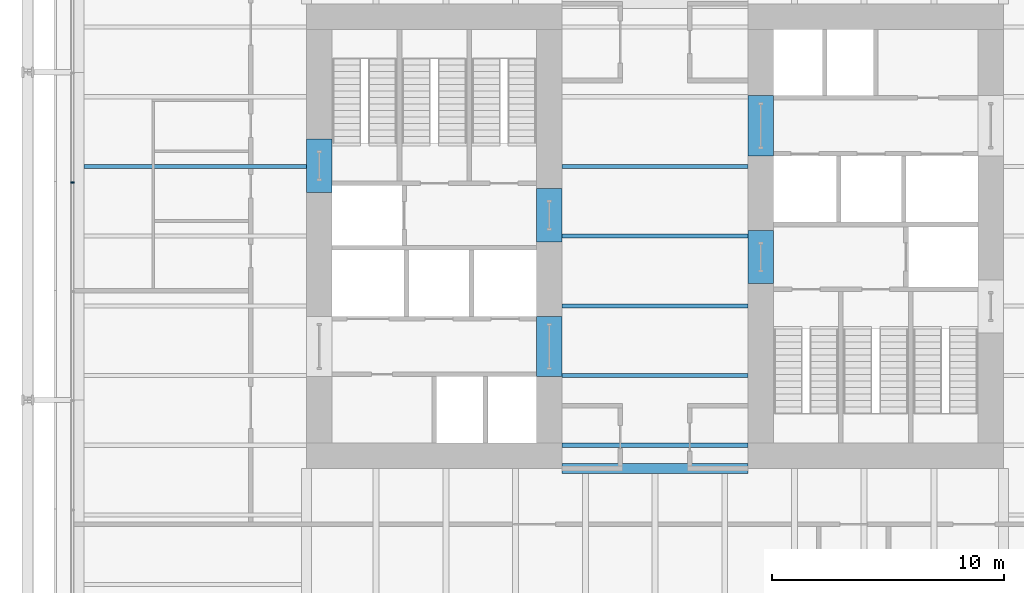
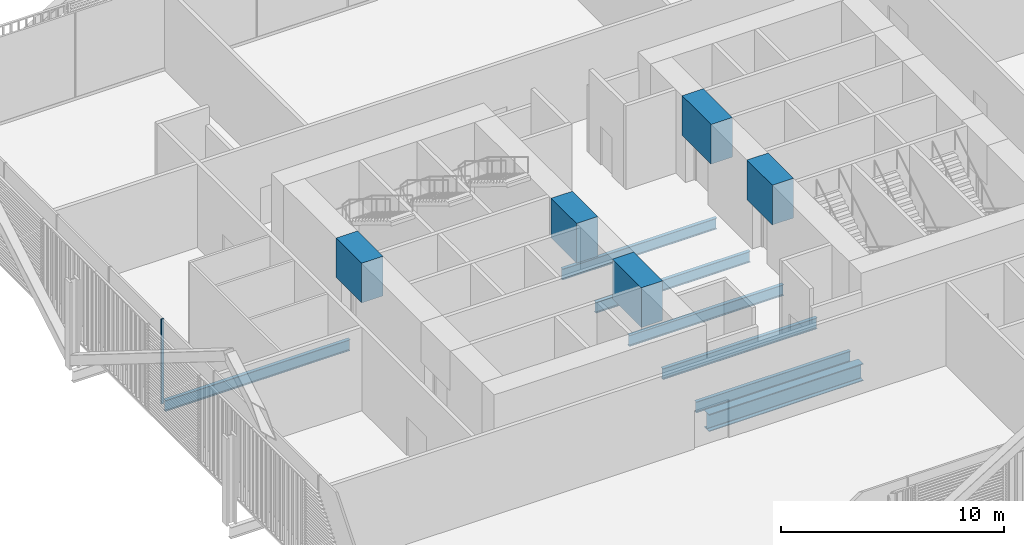
# One storey, part 7 of 22: 12 beams, 1 member, 1 element without a shape of its own.
"""IFC4 building model written with IfcOpenShell, lengths in metres."""

from ifc_helpers import new_model, si_unit, direction, frame, origin, origin_2d, place, context, subcontext, project, spatial, rectangle, i_section, extrude, material, layer, layer_set, material_profile, profile_set, type_object, element, aggregate, save


model = new_model("IFC4")

# Units and contexts
model_context = context("Model", 3, precision=1e-05, world=origin(), true_north=direction((0.0, 1.0)))
body_context = subcontext(model_context, "Body", "Model", "MODEL_VIEW")
ifc_project = project(units=[si_unit("LENGTHUNIT", "METRE"), si_unit("AREAUNIT", "SQUARE_METRE"), si_unit("VOLUMEUNIT", "CUBIC_METRE"), si_unit("PLANEANGLEUNIT", "RADIAN"), si_unit("MASSUNIT", "GRAM", prefix="KILO")], contexts=[model_context])

# Site, building, storey
site_placement = place(None, origin())
site = spatial("IfcSite", under=ifc_project, at=site_placement, CompositionType="ELEMENT")
building_placement = place(site_placement, origin())
building = spatial("IfcBuilding", under=site, at=building_placement, Name="Millrace Tower", CompositionType="ELEMENT")
storey_placement = place(building_placement, frame((0.0, 0.0, 54.5)))
storey = spatial("IfcBuildingStorey", under=building, at=storey_placement, Name="L12", CompositionType="ELEMENT", Elevation=54.5)

# Curtain wall, member
ifc_material_1 = material(Name="Aluminium and glass", Category="aluminium")
ifc_layer = layer(ifc_material_1, 0.14990234375)
ifc_layer_set = layer_set([ifc_layer], Name="Aluminium and glass")
curtain_wall_type = type_object("IfcCurtainWallType", Name="CW-2 data hall insulated curtain wall", PredefinedType="NOTDEFINED", material=ifc_layer_set)
curtain_wall_placement = place(storey_placement, origin())
curtain_wall = element("IfcCurtainWall", 1, at=curtain_wall_placement, inside=storey, type_object=curtain_wall_type, Name="Curtain wall A-F08 L12", PredefinedType="NOTDEFINED")
ifc_material_2 = material(Name="Aluminium", Category="aluminium")
ifc_material_profile_1 = material_profile(ifc_material_2, rectangle(XDim=0.06494140625, YDim=0.14990234375, at=origin_2d()))
ifc_profile_set_1 = profile_set([ifc_material_profile_1], Name="Aluminium")
member_type = type_object("IfcMemberType", Name="CW-2 data hall insulated curtain wall mullion", PredefinedType="MULLION", material=ifc_profile_set_1)
member_placement = place(storey_placement, frame((-25.074951171875, 2.3173828125, 0.159912109375), z_axis=(0.0, 0.0, 1.0), x_axis=(0.0, -1.0, 0.0)))
member = element("IfcMember", 2, at=member_placement, type_object=member_type, Name="CW2 mullion A-F08.5", PredefinedType="MULLION", context=body_context, shape_type="SweptSolid", body=[
    extrude(rectangle(XDim=0.06494140625, YDim=0.14990234375, at=origin_2d()), origin(), (0.0, 0.0, 1.0), 4.64013671875),
])
aggregate(curtain_wall, [member])

# Beams
ifc_material_3 = material(Name="Concrete C80", Category="concrete")
ifc_material_profile_2 = material_profile(ifc_material_3, rectangle(XDim=1.10009765625, YDim=2.175048828125, at=origin_2d()))
ifc_profile_set_2 = profile_set([ifc_material_profile_2], Name="Concrete C80")
beam_type_1 = type_object("IfcBeamType", Name="Coupling beam 1100 x 2175 Concrete C80, 1300 opening", PredefinedType="BEAM", material=ifc_profile_set_2)
beam_1_placement = place(storey_placement, frame((-14.449951171875, 1.88818359375, 3.487548828125), z_axis=(0.0, 1.0, 0.0), x_axis=(-1.0, 0.0, 0.0)))
element("IfcBeam", 3, at=beam_1_placement, inside=storey, type_object=beam_type_1, Name="Coupling beam W L12", PredefinedType="BEAM", context=body_context, shape_type="SweptSolid", body=[
    extrude(rectangle(XDim=1.10009765625, YDim=2.175048828125, at=origin_2d()), origin(), (0.0, 0.0, 1.0), 2.28369140625),
])
for number, where, z_axis, x_axis, name in (
    (4, (-4.550048828125, -0.241943359375, 3.487548828125), (0.0, 1.0, 0.0), (-1.0, 0.0, 0.0), "Coupling beam W L12"),
    (5, (4.550048828125, 0.241943359375, 3.487548828125), (0.0, -1.0, 0.0), (1.0, 0.0, 0.0), "Coupling beam E L12"),
):
    element("IfcBeam", number, at=place(storey_placement, frame(where, z_axis=z_axis, x_axis=x_axis)), inside=storey, type_object=beam_type_1, Name=name, PredefinedType="BEAM", context=body_context, shape_type="SweptSolid", body=[
        extrude(rectangle(XDim=1.10009765625, YDim=2.175048828125, at=origin_2d()), origin(), (0.0, 0.0, 1.0), 2.283935546875),
    ])
ifc_material_4 = material(Name="Concrete C80", Category="concrete")
ifc_material_profile_3 = material_profile(ifc_material_4, rectangle(XDim=1.10009765625, YDim=2.175048828125, at=origin_2d()))
ifc_profile_set_3 = profile_set([ifc_material_profile_3], Name="Concrete C80")
beam_type_2 = type_object("IfcBeamType", Name="Coupling beam 1100 x 2175 Concrete C80, 2000 opening", PredefinedType="BEAM", material=ifc_profile_set_3)
for number, where, z_axis, x_axis, name in (
    (6, (-4.550048828125, -6.050048828125, 3.487548828125), (0.0, 1.0, 0.0), (-1.0, 0.0, 0.0), "Coupling beam W L12"),
    (7, (4.550048828125, 6.050048828125, 3.487548828125), (0.0, -1.0, 0.0), (1.0, 0.0, 0.0), "Coupling beam E L12"),
):
    element("IfcBeam", number, at=place(storey_placement, frame(where, z_axis=z_axis, x_axis=x_axis)), inside=storey, type_object=beam_type_2, Name=name, PredefinedType="BEAM", context=body_context, shape_type="SweptSolid", body=[
        extrude(rectangle(XDim=1.10009765625, YDim=2.175048828125, at=origin_2d()), origin(), (0.0, 0.0, 1.0), 2.60009765625),
    ])
ifc_material_5 = material(Name="Steel ASTM A992 Grade 50", Category="steel")
ifc_material_profile_4 = material_profile(ifc_material_5, i_section(OverallWidth=0.177978515625, OverallDepth=0.599365234375, WebThickness=0.010009765625, FlangeThickness=0.012939453125, FilletRadius=0.012939453125, at=origin_2d()))
ifc_profile_set_4 = profile_set([ifc_material_profile_4], Name="Steel ASTM A992 Grade 50")
beam_type_3 = type_object("IfcBeamType", Name="Floor beam W24x55", PredefinedType="JOIST", material=ifc_profile_set_4)
for number, where, z_axis, x_axis, name in (
    (8, (-4.0, -9.0, -0.524658203125), (1.0, 0.0, 0.0), (0.0, 1.0, 0.0), "BM-A-L12-S1-S011"),
    (9, (-4.0, -6.0, -0.524658203125), (1.0, 0.0, 0.0), (0.0, 1.0, 0.0), "BM-A-L12-S1-S014"),
    (10, (-4.0, -3.0, -0.524658203125), (1.0, 0.0, 0.0), (0.0, 1.0, 0.0), "BM-A-L12-S1-S017"),
    (11, (-4.0, 0.0, -0.524658203125), (1.0, 0.0, 0.0), (0.0, 1.0, 0.0), "BM-A-L12-S1-S020"),
    (12, (-4.0, 3.0, -0.524658203125), (1.0, 0.0, 0.0), (0.0, 1.0, 0.0), "BM-A-L12-S1-S023"),
):
    element("IfcBeam", number, at=place(storey_placement, frame(where, z_axis=z_axis, x_axis=x_axis)), inside=storey, type_object=beam_type_3, Name=name, PredefinedType="JOIST", context=body_context, shape_type="SweptSolid", body=[
        extrude(i_section(OverallWidth=0.177978515625, OverallDepth=0.599365234375, WebThickness=0.010009765625, FlangeThickness=0.012939453125, FilletRadius=0.012939453125, at=origin_2d()), origin(), (0.0, 0.0, 1.0), 8.0),
    ])
ifc_material_6 = material(Name="Steel ASTM A992 Grade 50", Category="steel")
ifc_material_profile_5 = material_profile(ifc_material_6, i_section(OverallWidth=0.1787109375, OverallDepth=0.60205078125, WebThickness=0.010986328125, FlangeThickness=0.014892578125, FilletRadius=0.0126953125, at=origin_2d()))
ifc_profile_set_5 = profile_set([ifc_material_profile_5], Name="Steel ASTM A992 Grade 50")
beam_type_4 = type_object("IfcBeamType", Name="Floor beam W24x62", PredefinedType="JOIST", material=ifc_profile_set_5)
beam_2_placement = place(storey_placement, frame((-24.578369140625, 3.0, -0.52587890625), z_axis=(1.0, 0.0, 0.0), x_axis=(0.0, 1.0, 0.0)))
element("IfcBeam", 13, at=beam_2_placement, inside=storey, type_object=beam_type_4, Name="BM-A-L12-S1-S024", PredefinedType="JOIST", context=body_context, shape_type="SweptSolid", body=[
    extrude(i_section(OverallWidth=0.1787109375, OverallDepth=0.60205078125, WebThickness=0.010986328125, FlangeThickness=0.014892578125, FilletRadius=0.0126953125, at=origin_2d()), origin(), (0.0, 0.0, 1.0), 9.578369140625),
])
ifc_material_7 = material(Name="Steel ASTM A992 Grade 50", Category="steel")
ifc_material_profile_6 = material_profile(ifc_material_7, i_section(OverallWidth=0.424072265625, OverallDepth=0.947509765625, WebThickness=0.02392578125, FlangeThickness=0.042724609375, FilletRadius=0.024169921875, at=origin_2d()))
ifc_profile_set_6 = profile_set([ifc_material_profile_6], Name="Steel ASTM A992 Grade 50")
beam_type_5 = type_object("IfcBeamType", Name="Girder short span W36x302", PredefinedType="BEAM", material=ifc_profile_set_6)
beam_3_placement = place(storey_placement, frame((-4.0, -10.0, -0.69873046875), z_axis=(1.0, 0.0, 0.0), x_axis=(0.0, 1.0, 0.0)))
element("IfcBeam", 14, at=beam_3_placement, inside=storey, type_object=beam_type_5, Name="BM-A-L12-S1-G065", PredefinedType="BEAM", context=body_context, shape_type="SweptSolid", body=[
    extrude(i_section(OverallWidth=0.424072265625, OverallDepth=0.947509765625, WebThickness=0.02392578125, FlangeThickness=0.042724609375, FilletRadius=0.024169921875, at=origin_2d()), origin(), (0.0, 0.0, 1.0), 8.0),
])

save(model, "model.ifc")
